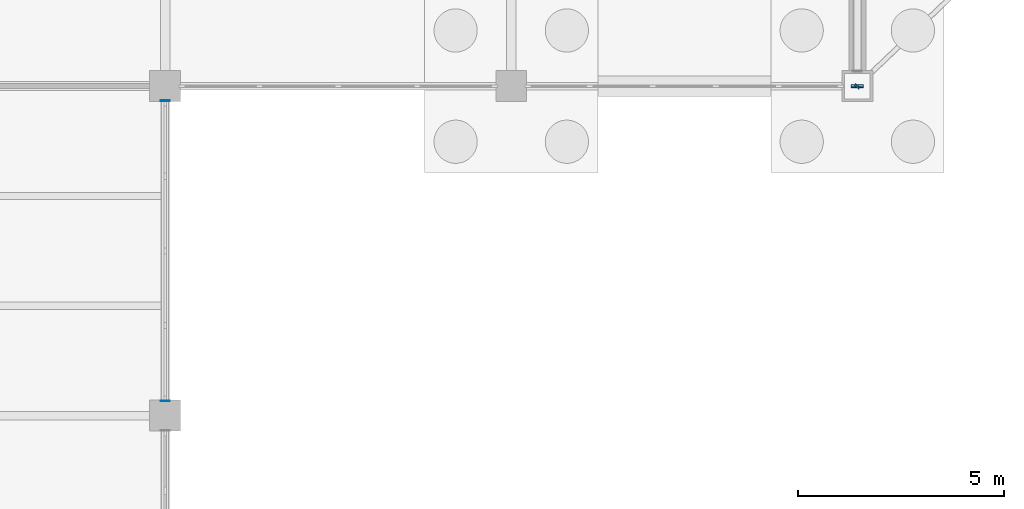
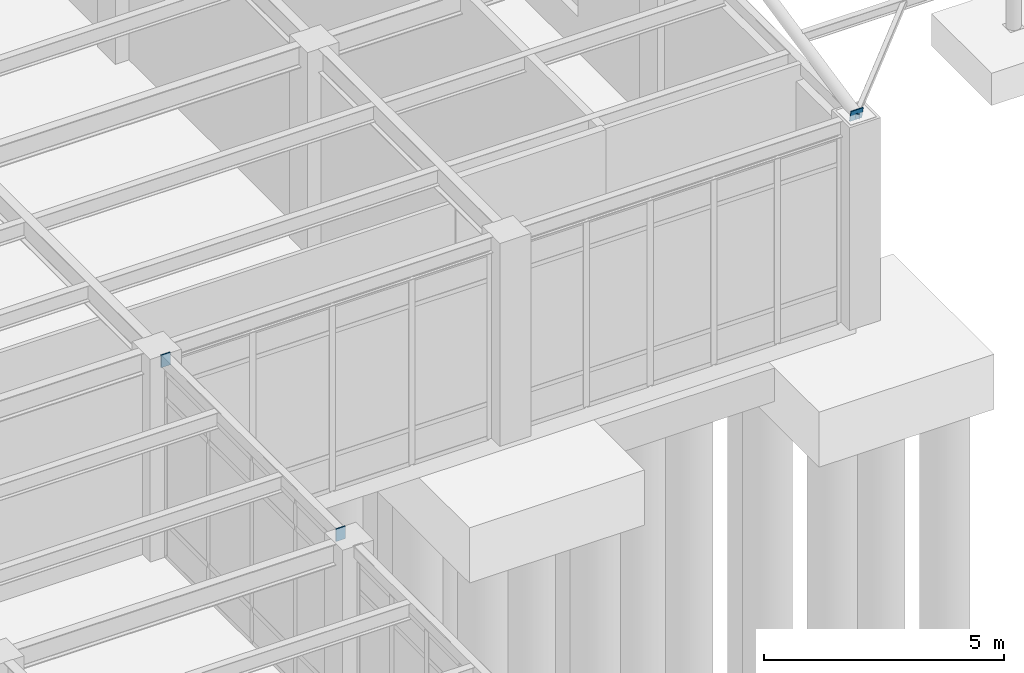
# One storey, part 104 of 138: 4 discrete accessories.
"""IFC4 building model written with IfcOpenShell, lengths in metres."""

import ifcopenshell
import ifcopenshell.guid

model = None  # the IFC model being written
_history = None  # IfcOwnerHistory: only IFC2X3 demands one
_inside = {}  # id of a spatial element -> (the spatial element, [elements in it])
_under = {}  # id of a project, library or spatial element -> (it, [spatial elements below it])
_declared = {}  # id of a project -> (the project, [libraries it declares])
_typed = {}  # id of a type object -> (the type object, [elements of that type])
_made_of = {}  # id of a material, layer set ... -> (it, [elements and type objects made of it])


def new_model(schema):
    """Start an empty IFC model of exactly this schema.

    Asked for "IFC4X3", IfcOpenShell would pick the latest addendum, in which some entities
    have other attributes; the version numbers below select the first issue.
    IFC2X3 requires an IfcOwnerHistory on every rooted entity: one is made here for all.
    """
    global model, _history
    if schema == "IFC4X3":
        model = ifcopenshell.file(schema_version=(4, 3, 0, 0))
    else:
        model = ifcopenshell.file(schema=schema)
    _inside.clear()
    _under.clear()
    _declared.clear()
    _typed.clear()
    _made_of.clear()
    _history = None
    if model.schema == "IFC2X3":
        org = make("IfcOrganization", Name="unknown")
        user = make(
            "IfcPersonAndOrganization",
            ThePerson=make("IfcPerson", FamilyName="unknown"),
            TheOrganization=org,
        )
        app = make(
            "IfcApplication",
            ApplicationDeveloper=org,
            Version="unknown",
            ApplicationFullName="unknown",
            ApplicationIdentifier="unknown",
        )
        _history = make(
            "IfcOwnerHistory",
            OwningUser=user,
            OwningApplication=app,
            ChangeAction="ADDED",
            CreationDate=0,
        )
    return model


def make(cls, **values):
    """One entity of the class cls with the attributes given. An attribute that is None is left unset."""
    return model.create_entity(
        cls, **{name: value for name, value in values.items() if value is not None}
    )


def rooted(cls, **values):
    """An entity with a GlobalId (a new one), such as an element, a storey or a relation."""
    return make(cls, GlobalId=ifcopenshell.guid.new(), OwnerHistory=_history, **values)


def si_unit(unit_type, name, prefix=None):
    """IfcSIUnit, for example si_unit("LENGTHUNIT", "METRE", prefix="MILLI")."""
    return make("IfcSIUnit", UnitType=unit_type, Prefix=prefix, Name=name)


def assignment(units):
    """IfcUnitAssignment: the units of a project."""
    return None if units is None else make("IfcUnitAssignment", Units=units)


def point(xyz):
    """IfcCartesianPoint."""
    return None if xyz is None else make("IfcCartesianPoint", Coordinates=xyz)


def direction(xyz):
    """IfcDirection."""
    return None if xyz is None else make("IfcDirection", DirectionRatios=xyz)


def frame(location, z_axis=None, x_axis=None):
    """IfcAxis2Placement3D, a coordinate frame: its origin and axes. An axis left out is left unset."""
    return make(
        "IfcAxis2Placement3D",
        Location=point(location),
        Axis=direction(z_axis),
        RefDirection=direction(x_axis),
    )


def frame_2d(location, x_axis=None):
    """IfcAxis2Placement2D, a coordinate frame in the plane: its origin and x axis."""
    return make(
        "IfcAxis2Placement2D", Location=point(location), RefDirection=direction(x_axis)
    )


def origin():
    """The frame at (0, 0, 0) with its axes left unset."""
    return frame((0.0, 0.0, 0.0))


def origin_2d():
    """The frame at (0, 0) in the plane with its x axis left unset."""
    return frame_2d((0.0, 0.0))


def place(relative_to, where):
    """IfcLocalPlacement: puts the frame where relative to a parent placement (None: the world)."""
    return make(
        "IfcLocalPlacement", PlacementRelTo=relative_to, RelativePlacement=where
    )


def context(
    kind, dimensions, precision=None, world=None, true_north=None, identifier=None
):
    """IfcGeometricRepresentationContext, for example the 3D "Model" context."""
    return make(
        "IfcGeometricRepresentationContext",
        ContextIdentifier=identifier,
        ContextType=kind,
        CoordinateSpaceDimension=dimensions,
        Precision=precision,
        WorldCoordinateSystem=world,
        TrueNorth=true_north,
    )


def subcontext(parent, identifier, kind, view, scale=None):
    """IfcGeometricRepresentationSubContext, for example "Body" below "Model"."""
    return make(
        "IfcGeometricRepresentationSubContext",
        ContextIdentifier=identifier,
        ContextType=kind,
        ParentContext=parent,
        TargetScale=scale,
        TargetView=view,
    )


def project(units=None, contexts=None):
    """IfcProject with its units and contexts."""
    return rooted(
        "IfcProject",
        Name="project",
        RepresentationContexts=contexts,
        UnitsInContext=assignment(units),
    )


def spatial(cls, under=None, at=None, **own):
    """A site, building, storey or space (cls), placed at a placement, below another one or the project."""
    s = rooted(cls, ObjectPlacement=at, **own)
    if under is not None:
        _under.setdefault(under.id(), (under, []))[1].append(s)
    return s


def profile(cls, at=None, kind="AREA", **sizes):
    """A parametric profile (cls). Its sizes go by their IFC names, for example OverallWidth=200.0."""
    return make(cls, ProfileType=kind, Position=at, **sizes)


def rectangle(**sizes):
    """IfcRectangleProfileDef."""
    return profile("IfcRectangleProfileDef", **sizes)


def extrude(swept, where, along, depth):
    """IfcExtrudedAreaSolid: the profile swept, set in the frame where, extruded along a direction by depth."""
    return make(
        "IfcExtrudedAreaSolid",
        SweptArea=swept,
        Position=where,
        ExtrudedDirection=direction(along),
        Depth=depth,
    )


def shape(context_of_items, identifier, shape_type, items):
    """IfcShapeRepresentation: the items that make up one representation, for example the "Body"."""
    return make(
        "IfcShapeRepresentation",
        ContextOfItems=context_of_items,
        RepresentationIdentifier=identifier,
        RepresentationType=shape_type,
        Items=items,
    )


def material(Name=None, Category=None):
    """IfcMaterial."""
    return make("IfcMaterial", Name=Name, Category=Category)


def layer(
    of_material, thickness, ventilated=None, Name=None, Category=None, Priority=None
):
    """IfcMaterialLayer: one layer of a wall or slab, of a material (None: an air gap)."""
    return make(
        "IfcMaterialLayer",
        Material=of_material,
        LayerThickness=thickness,
        IsVentilated=ventilated,
        Name=Name,
        Category=Category,
        Priority=Priority,
    )


def layer_set(layers, Name=None):
    """IfcMaterialLayerSet."""
    return make("IfcMaterialLayerSet", MaterialLayers=layers, LayerSetName=Name)


def made_of(thing, what):
    """Note that an element or type object is made of a material, layer set ...; save() writes the relation."""
    if what is not None:
        _made_of.setdefault(what.id(), (what, []))[1].append(thing)
    return thing


def type_object(cls, material=None, **own):
    """A type object (cls), such as IfcWallType, which elements share."""
    return made_of(rooted(cls, **own), material)


def element(
    cls,
    number,
    at=None,
    inside=None,
    cuts=None,
    type_object=None,
    material=None,
    context=None,
    identifier="Body",
    shape_type=None,
    held_by="IfcProductDefinitionShape",
    body=None,
    shapes=None,
    **own,
):
    """One element of the class cls, such as IfcWall. Its Tag is "e" and its number.

    at: its placement. inside: the storey or other place that contains it. cuts: it is an
    opening in that element (IfcRelVoidsElement). A single representation is given by context,
    identifier, shape_type and body (its items); several are given by shapes. held_by: the class
    of the entity that holds the representations. save() writes the other relations.
    """
    e = rooted(cls, Tag="e%d" % number, ObjectPlacement=at, **own)
    if body is not None:
        shapes = [shape(context, identifier, shape_type, body)]
    if shapes is not None:
        e.Representation = make(held_by, Representations=shapes)
    if inside is not None:
        _inside.setdefault(inside.id(), (inside, []))[1].append(e)
    if cuts is not None:
        rooted(
            "IfcRelVoidsElement", RelatingBuildingElement=cuts, RelatedOpeningElement=e
        )
    if type_object is not None:
        _typed.setdefault(type_object.id(), (type_object, []))[1].append(e)
    return made_of(e, material)


def aggregate(whole, parts):
    """IfcRelAggregates: a whole, such as a stair, and the parts it consists of."""
    return rooted("IfcRelAggregates", RelatingObject=whole, RelatedObjects=parts)


def save(model, path):
    """Write the relations noted so far, then the file.

    IfcRelAggregates (storeys below a building ...), IfcRelContainedInSpatialStructure (elements
    in a storey), IfcRelDefinesByType, IfcRelAssociatesMaterial and IfcRelDeclares: one each for
    every whole, place, type object, material and project.
    """
    for whole, parts in _under.values():
        aggregate(whole, parts)
    for where, things in _inside.values():
        rooted(
            "IfcRelContainedInSpatialStructure",
            RelatedElements=things,
            RelatingStructure=where,
        )
    for kind, things in _typed.values():
        rooted("IfcRelDefinesByType", RelatedObjects=things, RelatingType=kind)
    for what, things in _made_of.values():
        rooted("IfcRelAssociatesMaterial", RelatedObjects=things, RelatingMaterial=what)
    for by, libraries in _declared.values():
        rooted("IfcRelDeclares", RelatingContext=by, RelatedDefinitions=libraries)
    model.write(path)


model = new_model("IFC4")

# Units and contexts
model_context = context("Model", 3, precision=1e-05, world=origin(), true_north=direction((0.0, 1.0)))
body_context = subcontext(model_context, "Body", "Model", "MODEL_VIEW")
ifc_project = project(units=[si_unit("LENGTHUNIT", "METRE"), si_unit("AREAUNIT", "SQUARE_METRE"), si_unit("VOLUMEUNIT", "CUBIC_METRE"), si_unit("PLANEANGLEUNIT", "RADIAN"), si_unit("MASSUNIT", "GRAM", prefix="KILO")], contexts=[model_context])

# Site, building, storey
site_placement = place(None, origin())
site = spatial("IfcSite", under=ifc_project, at=site_placement, CompositionType="ELEMENT")
building_placement = place(site_placement, origin())
building = spatial("IfcBuilding", under=site, at=building_placement, Name="Kranzveld Transit Interchange", CompositionType="ELEMENT")
storey_placement = place(building_placement, origin())
storey = spatial("IfcBuildingStorey", under=building, at=storey_placement, Name="L00", CompositionType="ELEMENT", Elevation=0.0)

# Discrete accessories
ifc_material = material(Name="Steel S355JR", Category="steel")
ifc_layer = layer(ifc_material, 0.02001953125)
ifc_layer_set = layer_set([ifc_layer], Name="Steel S355JR")
discrete_accessory_type = type_object("IfcDiscreteAccessoryType", Name="Hollow Section End Cap Bracket 20 S355JR", PredefinedType="BRACKET", material=ifc_layer_set)
for number, where, z_axis, x_axis, name in (
    (1, (33.60009765625, 80.368896484375, 5.0), (0.0, -1.0, 0.0), (1.0, 0.0, 0.0), "Hollow Section End Cap SP-RHS300-1"),
    (2, (33.60009765625, 87.631103515625, 5.0), (0.0, 1.0, 0.0), (-1.0, 0.0, 0.0), "Hollow Section End Cap SP-RHS300-2"),
):
    element("IfcDiscreteAccessory", number, at=place(storey_placement, frame(where, z_axis=z_axis, x_axis=x_axis)), inside=storey, type_object=discrete_accessory_type, Name=name, PredefinedType="BRACKET", context=body_context, shape_type="SweptSolid", body=[
        extrude(rectangle(XDim=0.22412109375, YDim=0.323974609375, at=origin_2d()), origin(), (0.0, 0.0, 1.0), 0.019775390625),
    ])
discrete_accessory_1_placement = place(storey_placement, frame((50.39990234375, 88.00390625, 5.140869140625), z_axis=(0.0, -0.978158850918, -0.20785875582), x_axis=(1.0, 0.0, 0.0)))
element("IfcDiscreteAccessory", 3, at=discrete_accessory_1_placement, inside=storey, type_object=discrete_accessory_type, Name="Hollow Section End Cap ST-CHS273-1", PredefinedType="BRACKET", context=body_context, shape_type="SweptSolid", body=[
    extrude(rectangle(XDim=0.297119140625, YDim=0.297119140625, at=origin_2d()), origin(), (0.0, 0.0, 1.0), 0.02001953125),
])
discrete_accessory_2_placement = place(storey_placement, frame((50.40283203125, 88.002685546875, 5.1005859375), z_axis=(-0.717540706156, -0.681055585504, -0.145940482608), x_axis=(0.688426310031, -0.725306290926, 0.0)))
element("IfcDiscreteAccessory", 4, at=discrete_accessory_2_placement, inside=storey, type_object=discrete_accessory_type, Name="Hollow Section End Cap BR-SHS120-1", PredefinedType="BRACKET", context=body_context, shape_type="SweptSolid", body=[
    extrude(rectangle(XDim=0.14404296875, YDim=0.14404296875, at=origin_2d()), origin(), (0.0, 0.0, 1.0), 0.02001953125),
])

save(model, "model.ifc")
